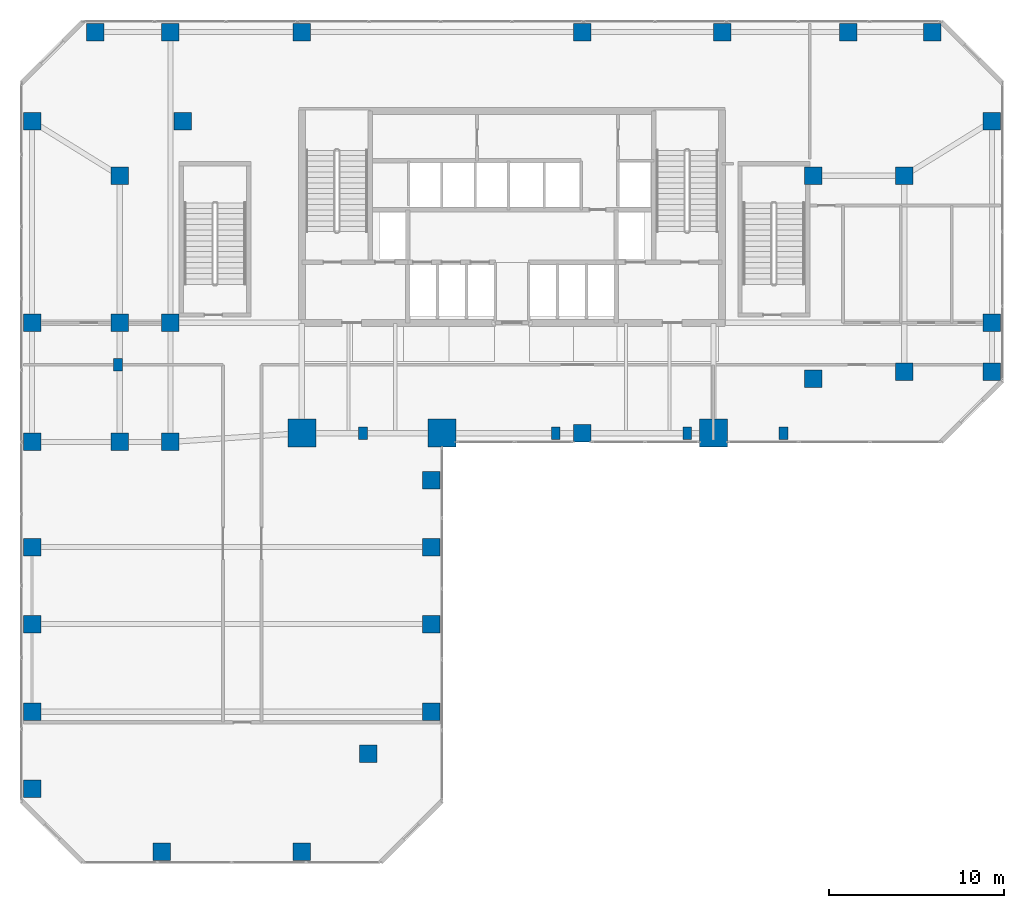
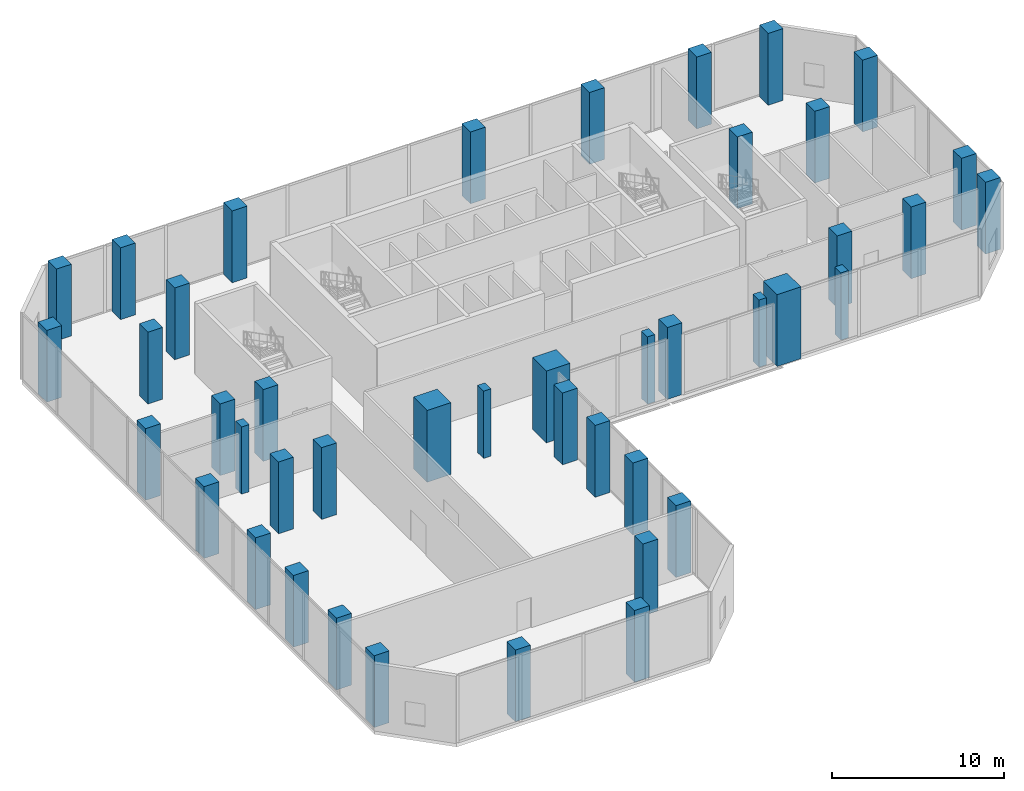
# One storey, part 1 of 24: 43 columns.
"""IFC4 building model written with IfcOpenShell, lengths in metres."""

from ifc_helpers import new_model, si_unit, direction, frame, origin, origin_2d, place, context, subcontext, project, spatial, rectangle, extrude, material, material_profile, profile_set, type_object, element, save


model = new_model("IFC4")

# Units and contexts
model_context = context("Model", 3, precision=1e-05, world=origin(), true_north=direction((0.0, 1.0)))
body_context = subcontext(model_context, "Body", "Model", "MODEL_VIEW")
ifc_project = project(units=[si_unit("LENGTHUNIT", "METRE"), si_unit("AREAUNIT", "SQUARE_METRE"), si_unit("VOLUMEUNIT", "CUBIC_METRE"), si_unit("PLANEANGLEUNIT", "RADIAN"), si_unit("MASSUNIT", "GRAM", prefix="KILO")], contexts=[model_context])

# Site, building, storey
site_placement = place(None, origin())
site = spatial("IfcSite", under=ifc_project, at=site_placement, CompositionType="ELEMENT")
building_placement = place(site_placement, origin())
building = spatial("IfcBuilding", under=site, at=building_placement, Name="Catumbela Crestline Tower", CompositionType="ELEMENT")
storey_placement = place(building_placement, frame((0.0, 0.0, 6.0)))
storey = spatial("IfcBuildingStorey", under=building, at=storey_placement, Name="L01", CompositionType="ELEMENT", Elevation=6.0)

# Columns
ifc_material_1 = material(Name="Concrete C50/60", Category="concrete")
ifc_material_profile_1 = material_profile(ifc_material_1, rectangle(XDim=0.5, YDim=0.7, at=origin_2d()), Name="RC 500x700")
ifc_profile_set_1 = profile_set([ifc_material_profile_1], Name="Concrete C50/60")
column_type_1 = type_object("IfcColumnType", Name="CP-500", PredefinedType="PILASTER", material=ifc_profile_set_1)
for number, where, z_axis, x_axis, name in (
    (1, (19.5, 24.5, 0.0), (0.0, 0.0, 1.0), (1.0, 0.0, 0.0), "L01 Galleria Architectural Pilaster 21"),
    (2, (30.5, 24.5, 0.0), (0.0, 0.0, 1.0), (1.0, 0.0, 0.0), "L01 Galleria Architectural Pilaster 22"),
    (3, (38.0, 24.5, 0.0), (0.0, 0.0, 1.0), (1.0, 0.0, 0.0), "L01 Galleria Architectural Pilaster 23"),
    (4, (43.5, 24.5, 0.0), (0.0, 0.0, 1.0), (1.0, 0.0, 0.0), "L01 Galleria Architectural Pilaster 24"),
    (5, (5.5, 28.4, 0.0), (0.0, 0.0, 1.0), (1.0, 0.0, 0.0), "L01 Galleria Architectural Pilaster 25"),
):
    element("IfcColumn", number, at=place(storey_placement, frame(where, z_axis=z_axis, x_axis=x_axis)), inside=storey, type_object=column_type_1, Name=name, PredefinedType="PILASTER", context=body_context, shape_type="SweptSolid", body=[
        extrude(rectangle(XDim=0.5, YDim=0.7, at=origin_2d()), origin(), (0.0, 0.0, 1.0), 4.78),
    ])
ifc_material_2 = material(Name="Concrete C60/75", Category="concrete")
ifc_material_profile_2 = material_profile(ifc_material_2, rectangle(XDim=1.0, YDim=1.0, at=origin_2d()), Name="RC 1000x1000")
ifc_profile_set_2 = profile_set([ifc_material_profile_2], Name="Concrete C60/75")
column_type_2 = type_object("IfcColumnType", Name="C-RC1000-C60", PredefinedType="COLUMN", material=ifc_profile_set_2)
for number, where, z_axis, x_axis, name in (
    (6, (8.5, 24.0, 0.0), (0.0, 0.0, 1.0), (1.0, 0.0, 0.0), "L01 Column C-08-24 (RC 1000x1000)"),
    (7, (32.0, 24.5, 0.0), (0.0, 0.0, 1.0), (1.0, 0.0, 0.0), "L01 Column C-32-24 (RC 1000x1000)"),
    (8, (5.6, 24.0, 0.0), (0.0, 0.0, 1.0), (1.0, 0.0, 0.0), "L01 Column C-05-24 (RC 1000x1000)"),
    (9, (5.6, 30.8, 0.0), (0.0, 0.0, 1.0), (1.0, 0.0, 0.0), "L01 Column C-05-31 (RC 1000x1000)"),
    (10, (5.6, 39.2, 0.0), (0.0, 0.0, 1.0), (1.0, 0.0, 0.0), "L01 Column C-05-43 (RC 1000x1000)"),
    (11, (8.5, 30.8, 0.0), (0.0, 0.0, 1.0), (1.0, 0.0, 0.0), "L01 Column C-08-31 (RC 1000x1000)"),
    (12, (9.2, 42.3, 0.0), (0.0, 0.0, 1.0), (1.0, 0.0, 0.0), "L01 Column C-08-43 (RC 1000x1000)"),
    (13, (45.2, 27.6, 0.0), (0.0, 0.0, 1.0), (1.0, 0.0, 0.0), "L01 Column C-46-24 (RC 1000x1000)"),
    (14, (45.2, 39.2, 0.0), (0.0, 0.0, 1.0), (1.0, 0.0, 0.0), "L01 Column C-46-43 (RC 1000x1000)"),
    (15, (0.6, 24.0, 0.0), (0.0, 0.0, 1.0), (1.0, 0.0, 0.0), "L01 Column C-00-24 (RC 1000x1000)"),
    (16, (0.6, 30.8, 0.0), (0.0, 0.0, 1.0), (1.0, 0.0, 0.0), "L01 Column C-00-31 (RC 1000x1000)"),
    (17, (0.6, 42.3, 0.0), (0.0, 0.0, 1.0), (1.0, 0.0, 0.0), "L01 Column C-00-43 (RC 1000x1000)"),
    (18, (4.2, 47.4, 0.0), (0.0, 0.0, 1.0), (1.0, 0.0, 0.0), "L01 Column C-00-48 (RC 1000x1000)"),
    (19, (8.5, 47.4, 0.0), (0.0, 0.0, 1.0), (1.0, 0.0, 0.0), "L01 Column C-08-48 (RC 1000x1000)"),
    (20, (16.0, 47.4, 0.0), (0.0, 0.0, 1.0), (1.0, 0.0, 0.0), "L01 Column C-16-48 (RC 1000x1000)"),
    (21, (32.0, 47.4, 0.0), (0.0, 0.0, 1.0), (1.0, 0.0, 0.0), "L01 Column C-32-48 (RC 1000x1000)"),
    (22, (40.0, 47.4, 0.0), (0.0, 0.0, 1.0), (1.0, 0.0, 0.0), "L01 Column C-40-48 (RC 1000x1000)"),
    (23, (47.2, 47.4, 0.0), (0.0, 0.0, 1.0), (1.0, 0.0, 0.0), "L01 Column C-48-48 (RC 1000x1000)"),
    (24, (50.4, 28.0, 0.0), (0.0, 0.0, 1.0), (1.0, 0.0, 0.0), "L01 Column C-51-24 (RC 1000x1000)"),
    (25, (50.4, 39.2, 0.0), (0.0, 0.0, 1.0), (1.0, 0.0, 0.0), "L01 Column C-51-43 (RC 1000x1000)"),
    (26, (55.4, 28.0, 0.0), (0.0, 0.0, 1.0), (1.0, 0.0, 0.0), "L01 Column C-56-24 (RC 1000x1000)"),
    (27, (55.4, 30.8, 0.0), (0.0, 0.0, 1.0), (1.0, 0.0, 0.0), "L01 Column C-56-31 (RC 1000x1000)"),
    (28, (55.4, 42.3, 0.0), (0.0, 0.0, 1.0), (1.0, 0.0, 0.0), "L01 Column C-56-43 (RC 1000x1000)"),
    (29, (52.0, 47.4, 0.0), (0.0, 0.0, 1.0), (1.0, 0.0, 0.0), "L01 Column C-56-48 (RC 1000x1000)"),
    (30, (0.6, 8.6, 0.0), (0.0, 0.0, 1.0), (1.0, 0.0, 0.0), "L01 Column C-00-05 (RC 1000x1000)"),
    (31, (0.6, 13.6, 0.0), (0.0, 0.0, 1.0), (1.0, 0.0, 0.0), "L01 Column C-00-10 (RC 1000x1000)"),
    (32, (0.6, 18.0, 0.0), (0.0, 0.0, 1.0), (1.0, 0.0, 0.0), "L01 Column C-00-16 (RC 1000x1000)"),
    (33, (0.6, 4.2, 0.0), (0.0, 0.0, 1.0), (1.0, 0.0, 0.0), "L01 Column C-00-03 (RC 1000x1000)"),
    (34, (8.0, 0.6, 0.0), (0.0, 0.0, 1.0), (1.0, 0.0, 0.0), "L01 Column C-08-00 (RC 1000x1000)"),
    (35, (16.0, 0.6, 0.0), (0.0, 0.0, 1.0), (1.0, 0.0, 0.0), "L01 Column C-16-00 (RC 1000x1000)"),
    (36, (19.8, 6.2, 0.0), (0.0, 0.0, 1.0), (1.0, 0.0, 0.0), "L01 Column C-24-05 (RC 1000x1000)"),
    (37, (23.4, 8.6, 0.0), (0.0, 0.0, 1.0), (1.0, 0.0, 0.0), "L01 Column C-23-08 (RC 1000x1000)"),
    (38, (23.4, 13.6, 0.0), (0.0, 0.0, 1.0), (1.0, 0.0, 0.0), "L01 Column C-24-10 (RC 1000x1000)"),
    (39, (23.4, 18.0, 0.0), (0.0, 0.0, 1.0), (1.0, 0.0, 0.0), "L01 Column C-24-16 (RC 1000x1000)"),
    (40, (23.4, 21.8, 0.0), (0.0, 0.0, 1.0), (1.0, 0.0, 0.0), "L01 Column C-24-21 (RC 1000x1000)"),
):
    element("IfcColumn", number, at=place(storey_placement, frame(where, z_axis=z_axis, x_axis=x_axis)), inside=storey, type_object=column_type_2, Name=name, PredefinedType="COLUMN", context=body_context, shape_type="SweptSolid", body=[
        extrude(rectangle(XDim=1.0, YDim=1.0, at=origin_2d()), origin(), (0.0, 0.0, 1.0), 5.1),
    ])
ifc_material_profile_3 = material_profile(ifc_material_2, rectangle(XDim=1.6, YDim=1.6, at=origin_2d()), Name="RC 1600x1600")
ifc_profile_set_3 = profile_set([ifc_material_profile_3], Name="Concrete C60/75")
column_type_3 = type_object("IfcColumnType", Name="C-RC1600-C60", PredefinedType="COLUMN", material=ifc_profile_set_3)
for number, where, z_axis, x_axis, name in (
    (41, (16.0, 24.5, 0.0), (0.0, 0.0, 1.0), (1.0, 0.0, 0.0), "L01 Column C-16-24 (RC 1600x1600)"),
    (42, (24.0, 24.5, 0.0), (0.0, 0.0, 1.0), (1.0, 0.0, 0.0), "L01 Column C-24-24 (RC 1600x1600)"),
    (43, (39.5, 24.5, 0.0), (0.0, 0.0, 1.0), (1.0, 0.0, 0.0), "L01 Column C-40-24 (RC 1600x1600)"),
):
    element("IfcColumn", number, at=place(storey_placement, frame(where, z_axis=z_axis, x_axis=x_axis)), inside=storey, type_object=column_type_3, Name=name, PredefinedType="COLUMN", context=body_context, shape_type="SweptSolid", body=[
        extrude(rectangle(XDim=1.6, YDim=1.6, at=origin_2d()), origin(), (0.0, 0.0, 1.0), 5.1),
    ])

save(model, "model.ifc")
